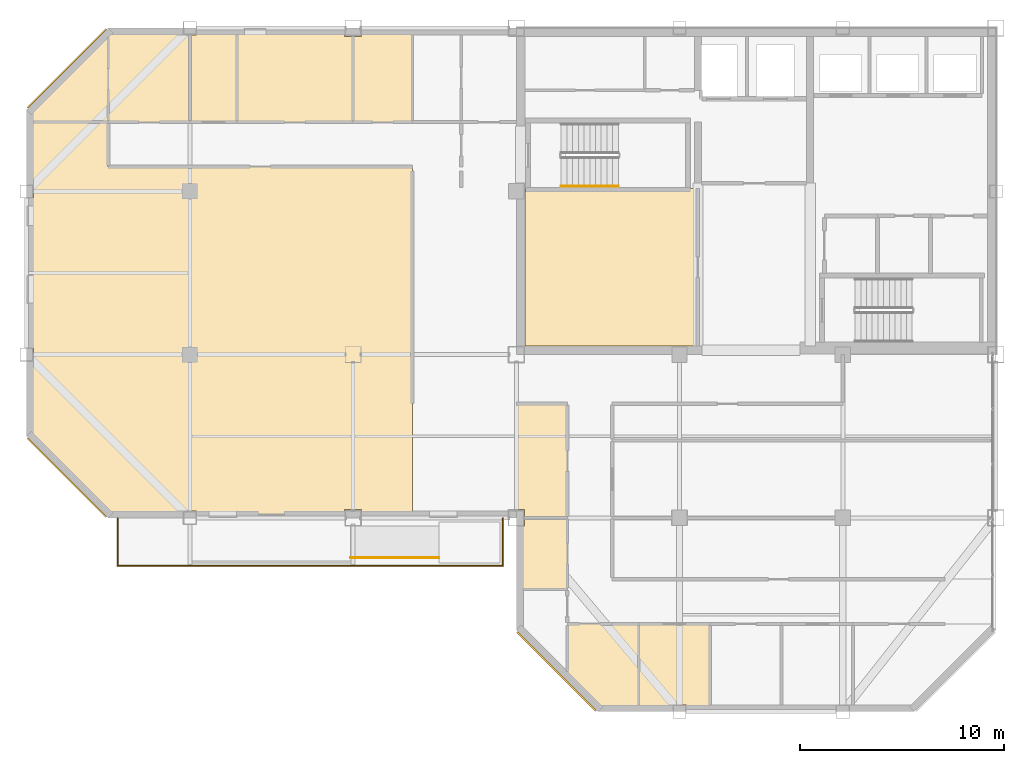
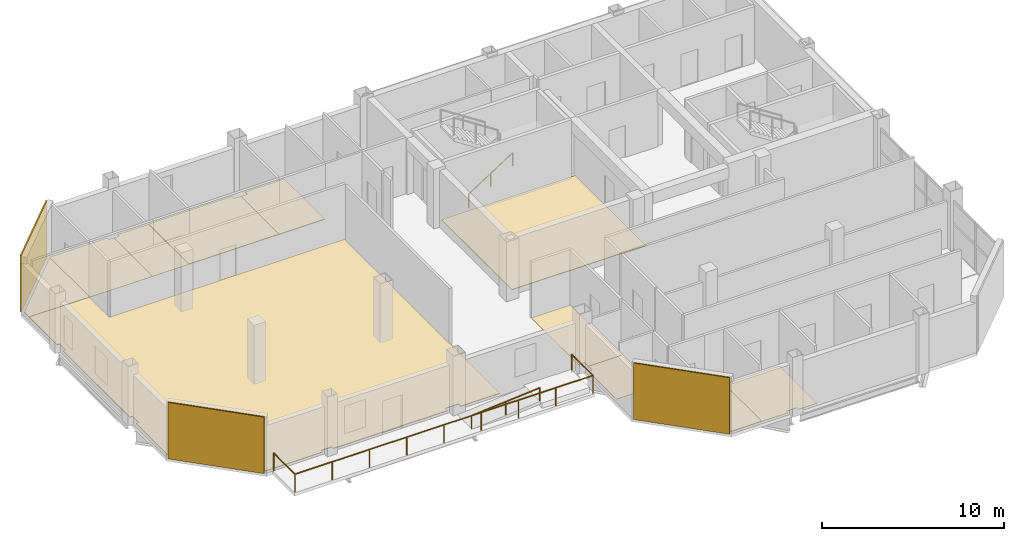
# One storey, part 11 of 13: 14 coverings, 3 railings.
"""IFC4 building model written with IfcOpenShell, lengths in metres."""

from ifc_helpers import new_model, si_unit, direction, frame, origin, origin_2d, place, context, subcontext, project, spatial, polyline, rectangle, circle, outline, extrude, material, layer, layer_set, type_object, element, save


model = new_model("IFC4")

# Units and contexts
model_context = context("Model", 3, precision=1e-05, world=origin(), true_north=direction((0.0, 1.0)))
body_context = subcontext(model_context, "Body", "Model", "MODEL_VIEW")
ifc_project = project(units=[si_unit("LENGTHUNIT", "METRE"), si_unit("AREAUNIT", "SQUARE_METRE"), si_unit("VOLUMEUNIT", "CUBIC_METRE"), si_unit("PLANEANGLEUNIT", "RADIAN"), si_unit("MASSUNIT", "GRAM", prefix="KILO")], contexts=[model_context])

# Site, building, storey
site_placement = place(None, origin())
site = spatial("IfcSite", under=ifc_project, at=site_placement, CompositionType="ELEMENT")
building_placement = place(site_placement, origin())
building = spatial("IfcBuilding", under=site, at=building_placement, Name="Qianrong Seaharbour Tower", CompositionType="ELEMENT")
storey_placement = place(building_placement, frame((0.0, 0.0, 291.199951171875)))
storey = spatial("IfcBuildingStorey", under=building, at=storey_placement, Name="L70", CompositionType="ELEMENT", Elevation=291.199951171875)

# Coverings
ifc_material_1 = material(Name="Unitised red brick cladding on Precast concrete C45/55", Category="masonry")
ifc_layer_1 = layer(ifc_material_1, 0.080078125)
ifc_layer_set_1 = layer_set([ifc_layer_1], Name="Unitised red brick cladding on Precast concrete C45/55")
covering_type_1 = type_object("IfcCoveringType", Name="COV-CLAD-RED-BRICK-80", PredefinedType="CLADDING", material=ifc_layer_set_1)
for number, where, z_axis, x_axis, name in (
    (1, (18.4716796875, 29.9716796875, 0.0), (0.0, 0.0, 1.0), (-0.707106781187, 0.707106781187, 0.0), "L70 Chamfer Corner Brick Cladding 02"),
    (2, (18.4716796875, 50.0283203125, 0.0), (0.0, 0.0, 1.0), (0.707106781187, 0.707106781187, 0.0), "L70 Chamfer Corner Brick Cladding 04"),
    (3, (42.4716796875, 20.4716796875, 0.0), (0.0, 0.0, 1.0), (-0.707106781187, 0.707106781187, 0.0), "L70 Chamfer Corner Brick Cladding 09"),
):
    element("IfcCovering", number, at=place(storey_placement, frame(where, z_axis=z_axis, x_axis=x_axis)), inside=storey, type_object=covering_type_1, Name=name, PredefinedType="CLADDING", context=body_context, shape_type="SweptSolid", body=[
        extrude(rectangle(XDim=5.456787109375, YDim=0.080078125, at=origin_2d()), origin(), (0.0, 0.0, 1.0), 3.784912109375),
    ])
ifc_material_2 = material(Name="Acoustic modular carpet tile flooring")
ifc_layer_2 = layer(ifc_material_2, 0.02001953125)
ifc_layer_set_2 = layer_set([ifc_layer_2], Name="Acoustic modular carpet tile flooring")
covering_type_2 = type_object("IfcCoveringType", Name="COV-FLOOR-CARPET-20", PredefinedType="FLOORING", material=ifc_layer_set_2)
covering_1_placement = place(storey_placement, origin())
element("IfcCovering", 4, at=covering_1_placement, inside=storey, type_object=covering_type_2, Name="L70 Focus Room 2 Finish Flooring", PredefinedType="FLOORING", context=body_context, shape_type="SweptSolid", body=[
    extrude(outline(polyline([(20.5, 51.7666015625), (20.568359375, 51.8349609375), (24.1650390625, 51.8349609375), (24.1650390625, 51.6650390625), (24.5, 51.6650390625), (24.5, 47.39990234375), (20.5, 47.39990234375), (20.5, 51.7666015625)])), origin(), (0.0, 0.0, 1.0), 0.02001953125),
])
covering_2_placement = place(storey_placement, origin())
element("IfcCovering", 5, at=covering_2_placement, inside=storey, type_object=covering_type_2, Name="L70 Meeting Room 3 Finish Flooring", PredefinedType="FLOORING", context=body_context, shape_type="SweptSolid", body=[
    extrude(outline(polyline([(24.5, 51.6650390625), (24.8349609375, 51.6650390625), (24.8349609375, 51.8349609375), (26.800048828125, 51.8349609375), (26.800048828125, 47.39990234375), (24.5, 47.39990234375), (24.5, 51.6650390625)])), origin(), (0.0, 0.0, 1.0), 0.02001953125),
])
covering_3_placement = place(storey_placement, origin())
element("IfcCovering", 6, at=covering_3_placement, inside=storey, type_object=covering_type_2, Name="L70 Wet Pantry 2 Finish Flooring", PredefinedType="FLOORING", context=body_context, shape_type="SweptSolid", body=[
    extrude(outline(polyline([(40.6650390625, 24.5), (40.6650390625, 27.590087890625), (40.909912109375, 27.590087890625), (40.909912109375, 28.0), (43.0, 28.0), (43.0, 24.5), (40.6650390625, 24.5)])), origin(), (0.0, 0.0, 1.0), 0.02001953125),
])
covering_4_placement = place(storey_placement, origin())
element("IfcCovering", 7, at=covering_4_placement, inside=storey, type_object=covering_type_2, Name="L70 Focus Room 3 Finish Flooring", PredefinedType="FLOORING", context=body_context, shape_type="SweptSolid", body=[
    extrude(outline(polyline([(43.0, 28.0), (40.909912109375, 28.0), (40.909912109375, 28.409912109375), (40.5, 28.409912109375), (40.5, 33.60009765625), (43.0, 33.60009765625), (43.0, 28.0)])), origin(), (0.0, 0.0, 1.0), 0.02001953125),
])
covering_5_placement = place(storey_placement, origin())
element("IfcCovering", 8, at=covering_5_placement, inside=storey, type_object=covering_type_2, Name="L70 Meeting Room 2 Finish Flooring", PredefinedType="FLOORING", context=body_context, shape_type="SweptSolid", body=[
    extrude(outline(polyline([(50.0, 18.6650390625), (48.8349609375, 18.6650390625), (48.8349609375, 18.8349609375), (48.1650390625, 18.8349609375), (48.1650390625, 18.6650390625), (46.5, 18.6650390625), (46.5, 22.800048828125), (50.0, 22.800048828125), (50.0, 18.6650390625)])), origin(), (0.0, 0.0, 1.0), 0.02001953125),
])
ifc_material_3 = material(Name="Calcium-sulphate raised access floor tile")
ifc_layer_3 = layer(ifc_material_3, 0.044921875)
ifc_layer_set_3 = layer_set([ifc_layer_3], Name="Calcium-sulphate raised access floor tile")
covering_type_3 = type_object("IfcCoveringType", Name="COV-FLOOR-RAISED-45", PredefinedType="FLOORING", material=ifc_layer_set_3)
covering_6_placement = place(storey_placement, origin())
element("IfcCovering", 9, at=covering_6_placement, inside=storey, type_object=covering_type_3, Name="L70 Data Systems Office Finish Flooring", PredefinedType="FLOORING", context=body_context, shape_type="SweptSolid", body=[
    extrude(outline(polyline([(49.39990234375, 44.14990234375), (49.39990234375, 36.419921875), (40.919921875, 36.419921875), (40.919921875, 44.14990234375), (49.39990234375, 44.14990234375)])), origin(), (0.0, 0.0, 1.0), 0.045166015625),
])
covering_7_placement = place(storey_placement, origin())
element("IfcCovering", 10, at=covering_7_placement, inside=storey, type_object=covering_type_3, Name="L70 Open-Plan Office Finish Flooring", PredefinedType="FLOORING", context=body_context, shape_type="SweptSolid", body=[
    extrude(outline(polyline([(32.909912109375, 28.1650390625), (32.909912109375, 28.409912109375), (32.090087890625, 28.409912109375), (32.090087890625, 28.1650390625), (24.8349609375, 28.1650390625), (24.8349609375, 28.3349609375), (24.1650390625, 28.3349609375), (24.1650390625, 28.1650390625), (20.568359375, 28.1650390625), (16.6650390625, 32.068359375), (16.6650390625, 35.6650390625), (16.8349609375, 35.6650390625), (16.8349609375, 36.3349609375), (16.6650390625, 36.3349609375), (16.6650390625, 43.6650390625), (16.8349609375, 43.6650390625), (16.8349609375, 44.3349609375), (16.6650390625, 44.3349609375), (16.6650390625, 47.39990234375), (20.5, 47.39990234375), (20.5, 45.199951171875), (35.39990234375, 45.199951171875), (35.39990234375, 28.1650390625), (32.909912109375, 28.1650390625)])), origin(), (0.0, 0.0, 1.0), 0.045166015625),
])
covering_8_placement = place(storey_placement, origin())
element("IfcCovering", 11, at=covering_8_placement, inside=storey, type_object=covering_type_3, Name="L70 Executive Office 1 Finish Flooring", PredefinedType="FLOORING", context=body_context, shape_type="SweptSolid", body=[
    extrude(outline(polyline([(16.6650390625, 47.931640625), (20.5, 51.7666015625), (20.5, 47.39990234375), (16.6650390625, 47.39990234375), (16.6650390625, 47.931640625)])), origin(), (0.0, 0.0, 1.0), 0.045166015625),
])
covering_9_placement = place(storey_placement, origin())
element("IfcCovering", 12, at=covering_9_placement, inside=storey, type_object=covering_type_3, Name="L70 Executive Office 4 Finish Flooring", PredefinedType="FLOORING", context=body_context, shape_type="SweptSolid", body=[
    extrude(outline(polyline([(26.800048828125, 51.8349609375), (32.090087890625, 51.8349609375), (32.090087890625, 51.590087890625), (32.5, 51.590087890625), (32.5, 47.39990234375), (26.800048828125, 47.39990234375), (26.800048828125, 51.8349609375)])), origin(), (0.0, 0.0, 1.0), 0.045166015625),
])
covering_10_placement = place(storey_placement, origin())
element("IfcCovering", 13, at=covering_10_placement, inside=storey, type_object=covering_type_3, Name="L70 Executive Office 5 Finish Flooring", PredefinedType="FLOORING", context=body_context, shape_type="SweptSolid", body=[
    extrude(outline(polyline([(32.5, 51.590087890625), (32.909912109375, 51.590087890625), (32.909912109375, 51.8349609375), (35.39990234375, 51.8349609375), (35.39990234375, 47.39990234375), (32.5, 47.39990234375), (32.5, 51.590087890625)])), origin(), (0.0, 0.0, 1.0), 0.045166015625),
])
covering_11_placement = place(storey_placement, origin())
element("IfcCovering", 14, at=covering_11_placement, inside=storey, type_object=covering_type_3, Name="L70 Executive Office 1 Finish Flooring", PredefinedType="FLOORING", context=body_context, shape_type="SweptSolid", body=[
    extrude(outline(polyline([(46.5, 18.6650390625), (44.568359375, 18.6650390625), (43.0, 20.2333984375), (43.0, 22.800048828125), (46.5, 22.800048828125), (46.5, 18.6650390625)])), origin(), (0.0, 0.0, 1.0), 0.045166015625),
])

# Railings
ifc_material_4 = material(Name="Stainless steel SUS316L tubular handrail", Category="steel")
railing_type_1 = type_object("IfcRailingType", Name="RAIL-RAMP-HANDRAIL-900", PredefinedType="HANDRAIL", material=ifc_material_4)
railing_1_placement = place(storey_placement, frame((32.3798828125, 26.050048828125, 0.0)))
element("IfcRailing", 15, at=railing_1_placement, inside=storey, type_object=railing_type_1, Name="L70 Harbourfront Ribbon Ramp Handrail", PredefinedType="HANDRAIL", context=body_context, shape_type="SweptSolid", body=[
    extrude(circle(Radius=0.02392578125, at=origin_2d()), frame((0.0, 0.0, 0.8759765625), z_axis=(0.996543815979, 0.0, 0.083068783756), x_axis=(0.0, 1.0, 0.0)), (0.0, 0.0, 1.0), 4.3349609375),
    extrude(circle(Radius=0.02099609375, at=origin_2d()), origin(), (0.0, 0.0, 1.0), 0.851806640625),
    extrude(circle(Radius=0.02099609375, at=origin_2d()), frame((2.16015625, 0.0, 0.18017578125)), (0.0, 0.0, 1.0), 0.851806640625),
    extrude(circle(Radius=0.02099609375, at=origin_2d()), frame((4.320068359375, 0.0, 0.360107421875)), (0.0, 0.0, 1.0), 0.851806640625),
])
ifc_material_5 = material(Name="Stainless steel SUS316L continuous handrail", Category="steel")
railing_type_2 = type_object("IfcRailingType", Name="RAIL-STAIR-HANDRAIL-900", PredefinedType="HANDRAIL", material=ifc_material_5)
railing_2_placement = place(storey_placement, frame((42.699951171875, 44.25, 0.181884765625)))
element("IfcRailing", 16, at=railing_2_placement, inside=storey, type_object=railing_type_2, Name="L70 ST-1 stair handrail 1", PredefinedType="HANDRAIL", context=body_context, shape_type="SweptSolid", body=[
    extrude(circle(Radius=0.02392578125, at=origin_2d()), frame((0.0, 0.0, 0.8759765625), z_axis=(0.838705829183, 0.0, 0.544584733623), x_axis=(0.0, 1.0, 0.0)), (0.0, 0.0, 1.0), 3.338623046875),
    extrude(circle(Radius=0.02099609375, at=origin_2d()), origin(), (0.0, 0.0, 1.0), 0.851806640625),
    extrude(circle(Radius=0.02099609375, at=origin_2d()), frame((1.39990234375, 0.0, 0.9091796875)), (0.0, 0.0, 1.0), 0.851806640625),
    extrude(circle(Radius=0.02099609375, at=origin_2d()), frame((2.800048828125, 0.0, 1.818115234375)), (0.0, 0.0, 1.0), 0.851806640625),
])
ifc_material_6 = material(Name="Stainless steel SUS316L and laminated safety glass balustrade", Category="steel")
railing_type_3 = type_object("IfcRailingType", Name="RAIL-TERRACE-GUARD-1220", PredefinedType="GUARDRAIL", material=ifc_material_6)
railing_3_placement = place(storey_placement, frame((20.9599609375, 27.97998046875, 0.0)))
element("IfcRailing", 17, at=railing_3_placement, inside=storey, type_object=railing_type_3, Name="L70 Harbourfront Ribbon Gallery Guardrail", PredefinedType="GUARDRAIL", context=body_context, shape_type="SweptSolid", body=[
    extrude(circle(Radius=0.02392578125, at=origin_2d()), frame((0.0, 0.0, 1.19580078125), z_axis=(0.0, -1.0, 0.0), x_axis=(1.0, 0.0, 0.0)), (0.0, 0.0, 1.0), 2.320068359375),
    extrude(circle(Radius=0.02392578125, at=origin_2d()), frame((0.0, -2.320068359375, 1.19580078125), z_axis=(1.0, 0.0, 0.0), x_axis=(0.0, 1.0, 0.0)), (0.0, 0.0, 1.0), 18.880126953125),
    extrude(circle(Radius=0.02392578125, at=origin_2d()), frame((18.880126953125, -2.320068359375, 1.19580078125), z_axis=(0.0, 1.0, 0.0), x_axis=(-1.0, 0.0, 0.0)), (0.0, 0.0, 1.0), 2.320068359375),
    extrude(circle(Radius=0.02099609375, at=origin_2d()), origin(), (0.0, 0.0, 1.0), 1.171875),
    extrude(circle(Radius=0.02099609375, at=origin_2d()), frame((0.0, -2.320068359375, 0.0)), (0.0, 0.0, 1.0), 1.171875),
    extrude(circle(Radius=0.02099609375, at=origin_2d()), frame((2.360107421875, -2.320068359375, 0.0)), (0.0, 0.0, 1.0), 1.171875),
    extrude(circle(Radius=0.02099609375, at=origin_2d()), frame((4.719970703125, -2.320068359375, 0.0)), (0.0, 0.0, 1.0), 1.171875),
    extrude(circle(Radius=0.02099609375, at=origin_2d()), frame((7.080078125, -2.320068359375, 0.0)), (0.0, 0.0, 1.0), 1.171875),
    extrude(circle(Radius=0.02099609375, at=origin_2d()), frame((9.43994140625, -2.320068359375, 0.0)), (0.0, 0.0, 1.0), 1.171875),
    extrude(circle(Radius=0.02099609375, at=origin_2d()), frame((11.800048828125, -2.320068359375, 0.0)), (0.0, 0.0, 1.0), 1.171875),
    extrude(circle(Radius=0.02099609375, at=origin_2d()), frame((14.16015625, -2.320068359375, 0.0)), (0.0, 0.0, 1.0), 1.171875),
    extrude(circle(Radius=0.02099609375, at=origin_2d()), frame((16.52001953125, -2.320068359375, 0.0)), (0.0, 0.0, 1.0), 1.171875),
    extrude(circle(Radius=0.02099609375, at=origin_2d()), frame((18.880126953125, -2.320068359375, 0.0)), (0.0, 0.0, 1.0), 1.171875),
    extrude(circle(Radius=0.02099609375, at=origin_2d()), frame((18.880126953125, 0.0, 0.0)), (0.0, 0.0, 1.0), 1.171875),
])

save(model, "model.ifc")
